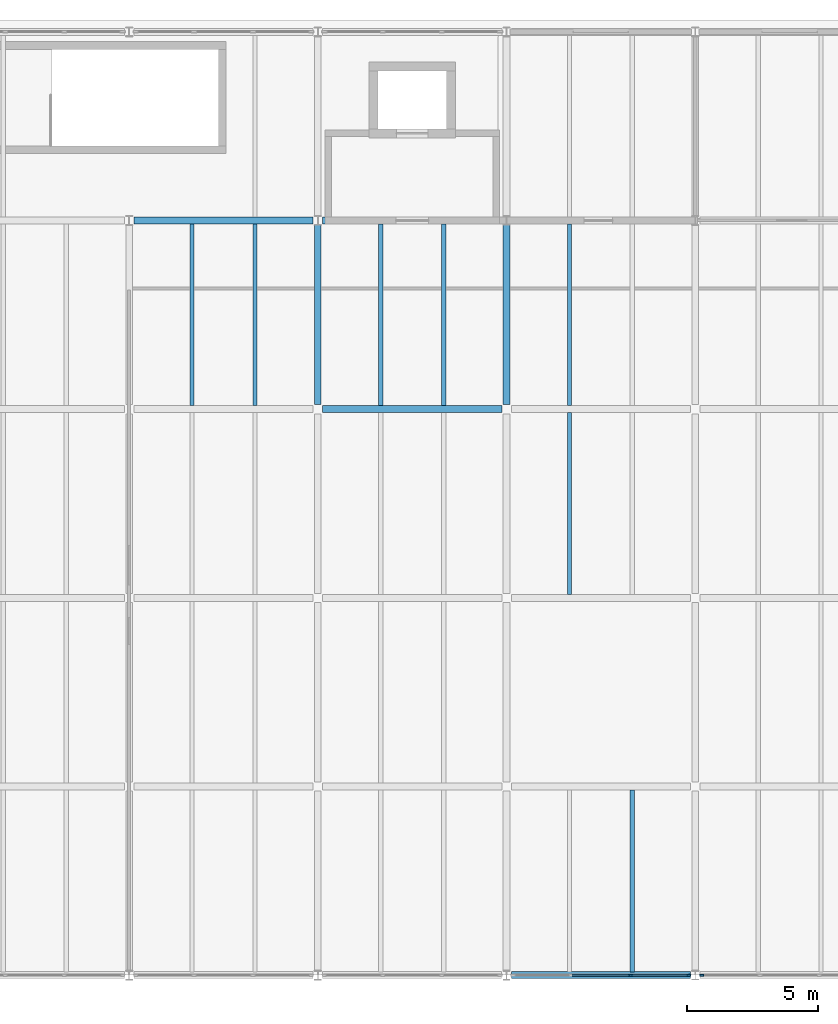
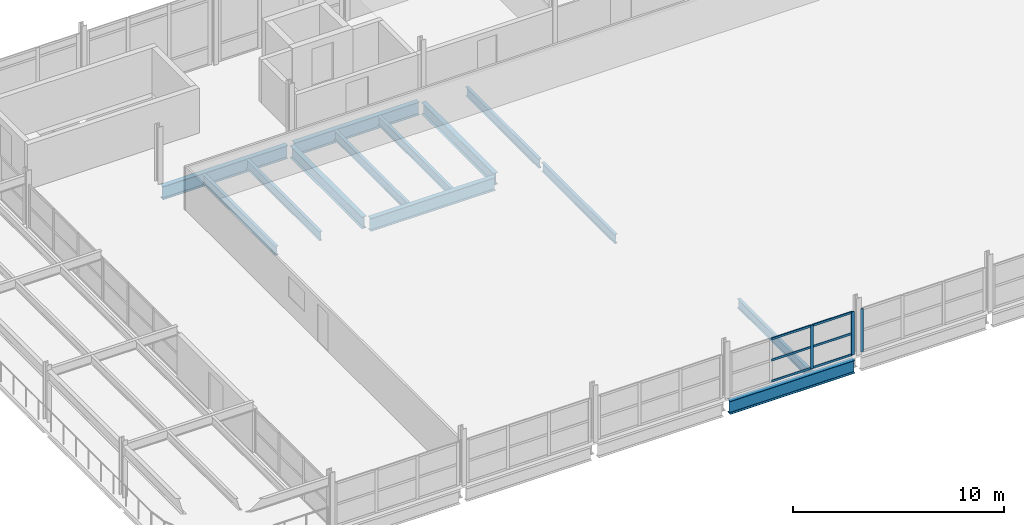
# One storey, part 9 of 25: 13 beams, 9 members, 2 elements without a shape of their own.
"""IFC4 building model written with IfcOpenShell, lengths in metres."""

from ifc_helpers import new_model, si_unit, direction, frame, origin, origin_2d, place, context, subcontext, project, spatial, rectangle, i_section, extrude, material, material_profile, profile_set, type_object, element, aggregate, save


model = new_model("IFC4")

# Units and contexts
model_context = context("Model", 3, precision=1e-05, world=origin(), true_north=direction((0.0, 1.0)))
body_context = subcontext(model_context, "Body", "Model", "MODEL_VIEW")
ifc_project = project(units=[si_unit("LENGTHUNIT", "METRE"), si_unit("AREAUNIT", "SQUARE_METRE"), si_unit("VOLUMEUNIT", "CUBIC_METRE"), si_unit("PLANEANGLEUNIT", "RADIAN"), si_unit("MASSUNIT", "GRAM", prefix="KILO")], contexts=[model_context])

# Site, building, storey
site_placement = place(None, origin())
site = spatial("IfcSite", under=ifc_project, at=site_placement, CompositionType="ELEMENT")
building_placement = place(site_placement, origin())
building = spatial("IfcBuilding", under=site, at=building_placement, Name="Vaelcorin Mobility Hub", CompositionType="ELEMENT")
storey_placement = place(building_placement, frame((0.0, 0.0, 21.0)))
storey = spatial("IfcBuildingStorey", under=building, at=storey_placement, Name="L05", CompositionType="ELEMENT", Elevation=21.0)

# Beams
ifc_material_1 = material(Name="Steel ASTM A992 Grade 50", Category="steel")
ifc_material_profile_1 = material_profile(ifc_material_1, i_section(OverallWidth=0.166015625, OverallDepth=0.528076171875, WebThickness=0.009765625, FlangeThickness=0.013671875, FilletRadius=0.013916015625, at=origin_2d()), Name="W21X50")
ifc_profile_set_1 = profile_set([ifc_material_profile_1], Name="Steel ASTM A992 Grade 50")
beam_type_1 = type_object("IfcBeamType", Name="BM-W21X50", PredefinedType="JOIST", material=ifc_profile_set_1)
for number, where, z_axis, x_axis, name in (
    (1, (52.800048828125, 105.73193359375, -0.52392578125), (0.0, 1.0, 0.0), (-1.0, 0.0, 0.0), "L05 Beam V3-L05-J-02-04-1"),
    (2, (55.199951171875, 105.73193359375, -0.52392578125), (0.0, 1.0, 0.0), (-1.0, 0.0, 0.0), "L05 Beam V3-L05-J-02-04-2"),
    (3, (60.0, 105.73193359375, -0.52392578125), (0.0, 1.0, 0.0), (-1.0, 0.0, 0.0), "L05 Beam V3-L05-J-03-04-1"),
    (4, (62.39990234375, 105.73193359375, -0.52392578125), (0.0, 1.0, 0.0), (-1.0, 0.0, 0.0), "L05 Beam V3-L05-J-03-04-2"),
    (5, (69.60009765625, 84.132080078125, -0.52392578125), (0.0, 1.0, 0.0), (-1.0, 0.0, 0.0), "L05 Beam V3-L05-J-04-01-2"),
    (6, (67.199951171875, 98.531982421875, -0.52392578125), (0.0, 1.0, 0.0), (-1.0, 0.0, 0.0), "L05 Beam V3-L05-J-04-03-1"),
    (7, (67.199951171875, 105.73193359375, -0.52392578125), (0.0, 1.0, 0.0), (-1.0, 0.0, 0.0), "L05 Beam V3-L05-J-04-04-1"),
):
    element("IfcBeam", number, at=place(storey_placement, frame(where, z_axis=z_axis, x_axis=x_axis)), inside=storey, type_object=beam_type_1, Name=name, PredefinedType="JOIST", context=body_context, shape_type="SweptSolid", body=[
        extrude(i_section(OverallWidth=0.166015625, OverallDepth=0.528076171875, WebThickness=0.009765625, FlangeThickness=0.013671875, FilletRadius=0.013916015625, at=origin_2d()), origin(), (0.0, 0.0, 1.0), 6.93603515625),
    ])
ifc_material_profile_2 = material_profile(ifc_material_1, i_section(OverallWidth=0.25390625, OverallDepth=0.68310546875, WebThickness=0.012451171875, FlangeThickness=0.018798828125, FilletRadius=0.01611328125, at=origin_2d()), Name="W27X94")
ifc_profile_set_2 = profile_set([ifc_material_profile_2], Name="Steel ASTM A992 Grade 50")
beam_type_2 = type_object("IfcBeamType", Name="BM-W27X94", PredefinedType="BEAM", material=ifc_profile_set_2)
for number, where, z_axis, x_axis, name in (
    (8, (57.60009765625, 105.77587890625, -0.60205078125), (0.0, 1.0, 0.0), (-1.0, 0.0, 0.0), "L05 Beam V3-L05-GY-03-04"),
    (9, (64.800048828125, 105.77587890625, -0.60205078125), (0.0, 1.0, 0.0), (-1.0, 0.0, 0.0), "L05 Beam V3-L05-GY-04-04"),
):
    element("IfcBeam", number, at=place(storey_placement, frame(where, z_axis=z_axis, x_axis=x_axis)), inside=storey, type_object=beam_type_2, Name=name, PredefinedType="BEAM", context=body_context, shape_type="SweptSolid", body=[
        extrude(i_section(OverallWidth=0.25390625, OverallDepth=0.68310546875, WebThickness=0.012451171875, FlangeThickness=0.018798828125, FilletRadius=0.01611328125, at=origin_2d()), origin(), (0.0, 0.0, 1.0), 6.84423828125),
    ])
ifc_material_profile_3 = material_profile(ifc_material_1, i_section(OverallWidth=0.26708984375, OverallDepth=0.757080078125, WebThickness=0.013916015625, FlangeThickness=0.019287109375, FilletRadius=0.01708984375, at=origin_2d()), Name="W30X108")
ifc_profile_set_3 = profile_set([ifc_material_profile_3], Name="Steel ASTM A992 Grade 50")
beam_type_3 = type_object("IfcBeamType", Name="BM-W30X108", PredefinedType="BEAM", material=ifc_profile_set_3)
beam_1_placement = place(storey_placement, frame((64.98291015625, 84.0, -0.637939453125), z_axis=(1.0, 0.0, 0.0), x_axis=(0.0, 1.0, 0.0)))
element("IfcBeam", 10, at=beam_1_placement, inside=storey, type_object=beam_type_3, Name="L05 Beam V3-L05-GX-01-04", PredefinedType="BEAM", context=body_context, shape_type="SweptSolid", body=[
    extrude(i_section(OverallWidth=0.26708984375, OverallDepth=0.757080078125, WebThickness=0.013916015625, FlangeThickness=0.019287109375, FilletRadius=0.01708984375, at=origin_2d()), origin(), (0.0, 0.0, 1.0), 6.8330078125),
])
beam_2_placement = place(storey_placement, frame((57.781982421875, 105.60009765625, -0.637939453125), z_axis=(1.0, 0.0, 0.0), x_axis=(0.0, 1.0, 0.0)))
element("IfcBeam", 11, at=beam_2_placement, inside=storey, type_object=beam_type_3, Name="L05 Beam V3-L05-GX-04-03", PredefinedType="BEAM", context=body_context, shape_type="SweptSolid", body=[
    extrude(i_section(OverallWidth=0.26708984375, OverallDepth=0.757080078125, WebThickness=0.013916015625, FlangeThickness=0.019287109375, FilletRadius=0.01708984375, at=origin_2d()), origin(), (0.0, 0.0, 1.0), 6.8359375),
])
for number, where, z_axis, x_axis, name in (
    (12, (50.583984375, 112.800048828125, -0.637939453125), (1.0, 0.0, 0.0), (0.0, 1.0, 0.0), "L05 Beam V3-L05-GX-05-02"),
    (13, (57.783935546875, 112.800048828125, -0.637939453125), (1.0, 0.0, 0.0), (0.0, 1.0, 0.0), "L05 Beam V3-L05-GX-05-03"),
):
    element("IfcBeam", number, at=place(storey_placement, frame(where, z_axis=z_axis, x_axis=x_axis)), inside=storey, type_object=beam_type_3, Name=name, PredefinedType="BEAM", context=body_context, shape_type="SweptSolid", body=[
        extrude(i_section(OverallWidth=0.26708984375, OverallDepth=0.757080078125, WebThickness=0.013916015625, FlangeThickness=0.019287109375, FilletRadius=0.01708984375, at=origin_2d()), origin(), (0.0, 0.0, 1.0), 6.83203125),
    ])

# Curtain wall, members
ifc_material_2 = material(Name="Anodised aluminium 6063-T6", Category="aluminium")
curtain_wall_type = type_object("IfcCurtainWallType", Name="CW-SPT-A", PredefinedType="NOTDEFINED", material=ifc_material_2)
curtain_wall_1_placement = place(storey_placement, origin())
curtain_wall_1 = element("IfcCurtainWall", 14, at=curtain_wall_1_placement, inside=storey, type_object=curtain_wall_type, Name="L05 Curtain Wall CW-V3-S-04", PredefinedType="NOTDEFINED")
ifc_material_profile_4 = material_profile(ifc_material_2, rectangle(XDim=0.06005859375, YDim=0.159912109375, at=origin_2d()), Name="ALU-M60X160")
ifc_profile_set_4 = profile_set([ifc_material_profile_4], Name="Anodised aluminium 6063-T6")
member_type_1 = type_object("IfcMemberType", Name="CW-MULL-160", PredefinedType="MULLION", material=ifc_profile_set_4)
member_1_placement = place(storey_placement, frame((71.75, 84.0, 0.0), z_axis=(0.0, 0.0, 1.0), x_axis=(0.0, -1.0, 0.0)))
member_1 = element("IfcMember", 15, at=member_1_placement, type_object=member_type_1, Name="CW5 mullion 1", PredefinedType="MULLION", context=body_context, shape_type="SweptSolid", body=[
    extrude(rectangle(XDim=0.06005859375, YDim=0.159912109375, at=origin_2d()), origin(), (0.0, 0.0, 1.0), 2.5),
])
member_2_placement = place(storey_placement, frame((69.526611328125, 84.0, 0.0), z_axis=(0.0, 0.0, 1.0), x_axis=(0.0, -1.0, 0.0)))
member_2 = element("IfcMember", 16, at=member_2_placement, type_object=member_type_1, Name="CW5 mullion 2", PredefinedType="MULLION", context=body_context, shape_type="SweptSolid", body=[
    extrude(rectangle(XDim=0.06005859375, YDim=0.159912109375, at=origin_2d()), origin(), (0.0, 0.0, 1.0), 2.5),
])

# Curtain wall, member
curtain_wall_2_placement = place(storey_placement, origin())
curtain_wall_2 = element("IfcCurtainWall", 17, at=curtain_wall_2_placement, inside=storey, type_object=curtain_wall_type, Name="L05 Curtain Wall CW-V3-S-05", PredefinedType="NOTDEFINED")
member_3_placement = place(storey_placement, frame((72.25, 84.0, 0.0), z_axis=(0.0, 0.0, 1.0), x_axis=(0.0, -1.0, 0.0)))
member_3 = element("IfcMember", 18, at=member_3_placement, type_object=member_type_1, Name="CW5 mullion 4", PredefinedType="MULLION", context=body_context, shape_type="SweptSolid", body=[
    extrude(rectangle(XDim=0.06005859375, YDim=0.159912109375, at=origin_2d()), origin(), (0.0, 0.0, 1.0), 2.5),
])
aggregate(curtain_wall_2, [member_3])

# Member
ifc_material_profile_5 = material_profile(ifc_material_2, rectangle(XDim=0.06005859375, YDim=0.1201171875, at=origin_2d()), Name="ALU-T60X120")
ifc_profile_set_5 = profile_set([ifc_material_profile_5], Name="Anodised aluminium 6063-T6")
member_type_2 = type_object("IfcMemberType", Name="CW-TRAN-140", PredefinedType="USERDEFINED", material=ifc_profile_set_5)
member_4_placement = place(storey_placement, frame((71.719970703125, 84.0, 0.030029296875), z_axis=(-1.0, 0.0, 0.0), x_axis=(0.0, -1.0, 0.0)))
member_4 = element("IfcMember", 19, at=member_4_placement, type_object=member_type_2, Name="CW5 transom 1.1", ObjectType="TRANSOM", PredefinedType="USERDEFINED", context=body_context, shape_type="SweptSolid", body=[
    extrude(rectangle(XDim=0.06005859375, YDim=0.1201171875, at=origin_2d()), origin(), (0.0, 0.0, 1.0), 2.163330078125),
])

member_5_placement = place(storey_placement, frame((71.719970703125, 84.0, 1.25), z_axis=(-1.0, 0.0, 0.0), x_axis=(0.0, -1.0, 0.0)))
member_5 = element("IfcMember", 20, at=member_5_placement, type_object=member_type_2, Name="CW5 transom 1.2", ObjectType="TRANSOM", PredefinedType="USERDEFINED", context=body_context, shape_type="SweptSolid", body=[
    extrude(rectangle(XDim=0.06005859375, YDim=0.1201171875, at=origin_2d()), origin(), (0.0, 0.0, 1.0), 2.163330078125),
])

member_6_placement = place(storey_placement, frame((71.719970703125, 84.0, 2.469970703125), z_axis=(-1.0, 0.0, 0.0), x_axis=(0.0, -1.0, 0.0)))
member_6 = element("IfcMember", 21, at=member_6_placement, type_object=member_type_2, Name="CW5 transom 1.3", ObjectType="TRANSOM", PredefinedType="USERDEFINED", context=body_context, shape_type="SweptSolid", body=[
    extrude(rectangle(XDim=0.06005859375, YDim=0.1201171875, at=origin_2d()), origin(), (0.0, 0.0, 1.0), 2.163330078125),
])

member_7_placement = place(storey_placement, frame((69.49658203125, 84.0, 0.030029296875), z_axis=(-1.0, 0.0, 0.0), x_axis=(0.0, -1.0, 0.0)))
member_7 = element("IfcMember", 22, at=member_7_placement, type_object=member_type_2, Name="CW5 transom 2.1", ObjectType="TRANSOM", PredefinedType="USERDEFINED", context=body_context, shape_type="SweptSolid", body=[
    extrude(rectangle(XDim=0.06005859375, YDim=0.1201171875, at=origin_2d()), origin(), (0.0, 0.0, 1.0), 2.193359375),
])

member_8_placement = place(storey_placement, frame((69.49658203125, 84.0, 1.25), z_axis=(-1.0, 0.0, 0.0), x_axis=(0.0, -1.0, 0.0)))
member_8 = element("IfcMember", 23, at=member_8_placement, type_object=member_type_2, Name="CW5 transom 2.2", ObjectType="TRANSOM", PredefinedType="USERDEFINED", context=body_context, shape_type="SweptSolid", body=[
    extrude(rectangle(XDim=0.06005859375, YDim=0.1201171875, at=origin_2d()), origin(), (0.0, 0.0, 1.0), 2.193359375),
])

member_9_placement = place(storey_placement, frame((69.49658203125, 84.0, 2.469970703125), z_axis=(-1.0, 0.0, 0.0), x_axis=(0.0, -1.0, 0.0)))
member_9 = element("IfcMember", 24, at=member_9_placement, type_object=member_type_2, Name="CW5 transom 2.3", ObjectType="TRANSOM", PredefinedType="USERDEFINED", context=body_context, shape_type="SweptSolid", body=[
    extrude(rectangle(XDim=0.06005859375, YDim=0.1201171875, at=origin_2d()), origin(), (0.0, 0.0, 1.0), 2.193359375),
])

aggregate(curtain_wall_1, [member_1, member_2, member_4, member_5, member_6, member_7, member_8, member_9])

save(model, "model.ifc")
